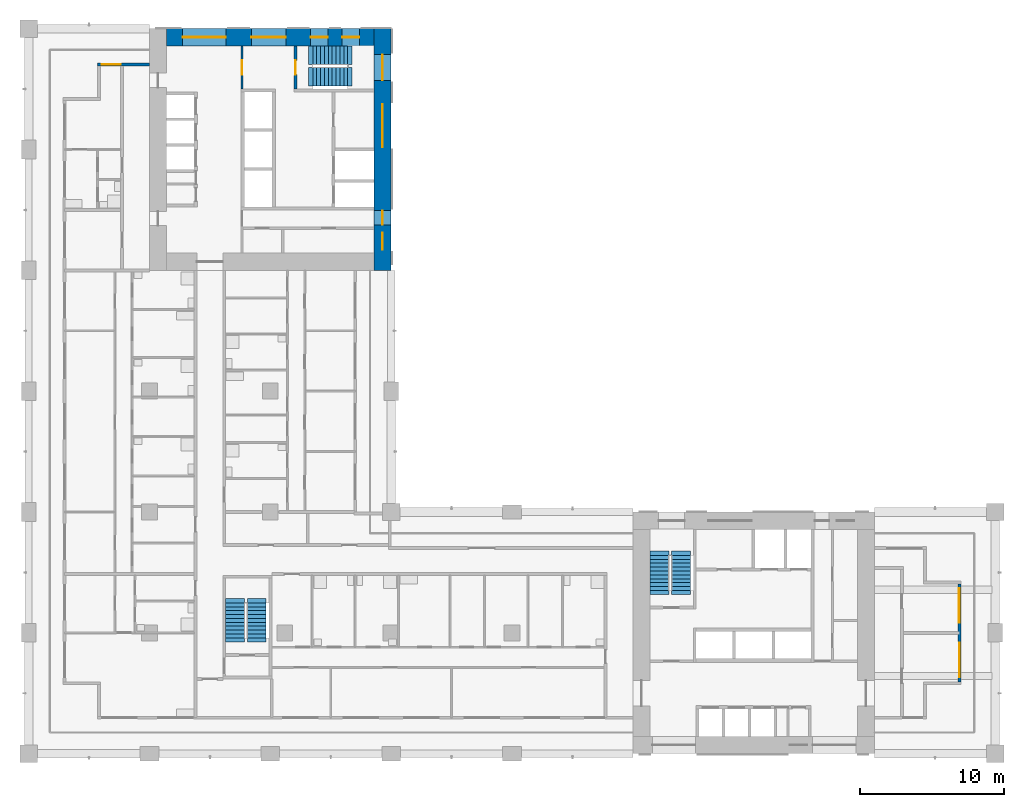
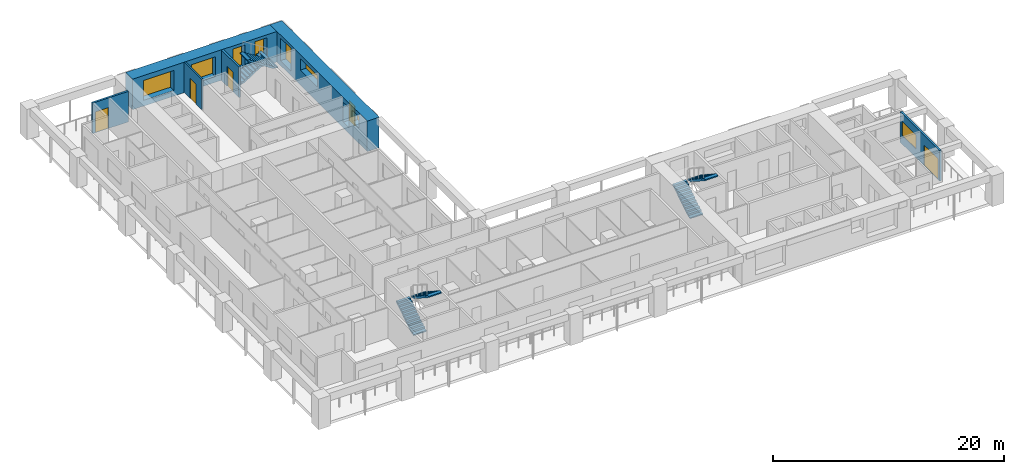
# One storey, part 8 of 16: 9 windows, 6 stair flights, 6 walls, 4 doors, 13 openings, 3 elements without a shape of their own.
"""IFC4 building model written with IfcOpenShell, lengths in metres."""

from ifc_helpers import new_model, si_unit, direction, frame, frame_2d, origin, place, context, subcontext, project, spatial, polyline, rectangle, outline, extrude, material, layer, layer_set, type_object, element, fill, aggregate, save


model = new_model("IFC4")

# Units and contexts
model_context = context("Model", 3, precision=1e-05, world=origin(), true_north=direction((0.0, 1.0)))
body_context = subcontext(model_context, "Body", "Model", "MODEL_VIEW")
ifc_project = project(units=[si_unit("LENGTHUNIT", "METRE"), si_unit("AREAUNIT", "SQUARE_METRE"), si_unit("VOLUMEUNIT", "CUBIC_METRE"), si_unit("PLANEANGLEUNIT", "RADIAN"), si_unit("MASSUNIT", "GRAM", prefix="KILO")], contexts=[model_context])

# Site, building, storey
site_placement = place(None, origin())
site = spatial("IfcSite", under=ifc_project, at=site_placement, CompositionType="ELEMENT")
building_placement = place(site_placement, origin())
building = spatial("IfcBuilding", under=site, at=building_placement, Name="Vermilion Gate Residences", CompositionType="ELEMENT")
storey_placement = place(building_placement, frame((0.0, 0.0, 130.199951171875)))
storey = spatial("IfcBuildingStorey", under=building, at=storey_placement, Name="L33", CompositionType="ELEMENT", Elevation=130.199951171875)

# Wall, opening, door
ifc_material_1 = material(Name="Masonry blockwork", Category="masonry")
ifc_layer_1 = layer(ifc_material_1, 0.14990234375)
ifc_layer_set_1 = layer_set([ifc_layer_1], Name="BLOCKWORK PARTITION 150 EI 120")
wall_type_1 = type_object("IfcWallType", Name="BLOCKWORK PARTITION 150 EI 120", PredefinedType="PARTITIONING", material=ifc_layer_set_1)
wall_1_placement = place(storey_placement, frame((14.824951171875, 57.60009765625, 0.0), z_axis=(0.0, 0.0, 1.0), x_axis=(0.0, -1.0, 0.0)))
wall_1 = element("IfcWall", 1, at=wall_1_placement, inside=storey, type_object=wall_type_1, Name="Core room partition B33-VW-S", PredefinedType="PARTITIONING", context=body_context, shape_type="SweptSolid", body=[
    extrude(rectangle(XDim=3.0, YDim=0.14990234375, at=frame_2d((1.5, 0.0))), origin(), (0.0, 0.0, 1.0), 3.219970703125),
])
opening_1_placement = place(wall_1_placement, frame((1.0, 0.0, 0.0)))
opening_1 = element("IfcOpeningElement", 2, at=opening_1_placement, cuts=wall_1, Name="Opening DK33112", PredefinedType="OPENING", context=body_context, shape_type="SweptSolid", body=[
    extrude(rectangle(XDim=1.0, YDim=2.10009765625, at=frame_2d((0.5, 1.050048828125))), frame((0.0, 0.0849609375, 0.0), z_axis=(0.0, -1.0, 0.0), x_axis=(1.0, 0.0, 0.0)), (0.0, 0.0, 1.0), 0.169921875),
])
ifc_material_2 = material(Name="Steel", Category="steel")
door_type_1 = type_object("IfcDoorType", Name="FIRE DOOR FD60 1000 X 2100", OperationType="SINGLE_SWING_LEFT", PredefinedType="DOOR", material=ifc_material_2)
door_1_placement = place(opening_1_placement, frame((1.0, 0.0, 0.0), z_axis=(0.0, 0.0, 1.0), x_axis=(-1.0, 0.0, 0.0)))
door_1 = element("IfcDoor", 3, at=door_1_placement, inside=storey, type_object=door_type_1, Name="Stair vestibule door B33", OperationType="SINGLE_SWING_RIGHT", OverallHeight=2.10009765625, OverallWidth=1.0, PredefinedType="DOOR", context=body_context, shape_type="SweptSolid", body=[
    extrude(rectangle(XDim=1.0, YDim=2.10009765625, at=frame_2d((0.5, 1.050048828125))), frame((0.0, 0.02490234375, 0.0), z_axis=(0.0, -1.0, 0.0), x_axis=(1.0, 0.0, 0.0)), (0.0, 0.0, 1.0), 0.050048828125),
])
fill(opening_1, door_1)

ifc_material_3 = material(Name="Insulated steel stud wall with terracotta rainscreen", Category="masonry")
ifc_layer_2 = layer(ifc_material_3, 0.199951171875)
ifc_layer_set_2 = layer_set([ifc_layer_2], Name="EXTERNAL WALL 200 TERRACOTTA RAINSCREEN")
wall_type_2 = type_object("IfcWallType", Name="EXTERNAL WALL 200 TERRACOTTA RAINSCREEN", PredefinedType="SOLIDWALL", material=ifc_layer_set_2)
wall_2_placement = place(storey_placement, frame((8.39990234375, 56.300048828125, 0.0), z_axis=(0.0, 0.0, 1.0), x_axis=(-1.0, 0.0, 0.0)))
wall_2 = element("IfcWall", 4, at=wall_2_placement, inside=storey, type_object=wall_type_2, Name="External wall", PredefinedType="SOLIDWALL", context=body_context, shape_type="SweptSolid", body=[
    extrude(rectangle(XDim=3.599853515625, YDim=0.199951171875, at=frame_2d((1.7998046875, 0.0))), origin(), (0.0, 0.0, 1.0), 3.219970703125),
])
opening_2_placement = place(wall_2_placement, frame((2.0, 0.0, 0.0)))
opening_2 = element("IfcOpeningElement", 5, at=opening_2_placement, cuts=wall_2, Name="Opening DE33001", PredefinedType="OPENING", context=body_context, shape_type="SweptSolid", body=[
    extrude(rectangle(XDim=1.300048828125, YDim=2.199951171875, at=frame_2d((0.64990234375, 1.10009765625))), frame((0.0, 0.10986328125, 0.0), z_axis=(0.0, -1.0, 0.0), x_axis=(1.0, 0.0, 0.0)), (0.0, 0.0, 1.0), 0.219970703125),
])
ifc_material_4 = material(Name="Aluminium and clear glass", Category="aluminium")
door_type_2 = type_object("IfcDoorType", Name="SLIDING GLAZED DOOR 1300 X 2200", OperationType="DOUBLE_DOOR_SLIDING", PredefinedType="DOOR", material=ifc_material_4)
door_2_placement = place(opening_2_placement, origin())
door_2 = element("IfcDoor", 6, at=door_2_placement, inside=storey, type_object=door_type_2, Name="Loggia sliding door", OperationType="DOUBLE_DOOR_SLIDING", OverallHeight=2.199951171875, OverallWidth=1.300048828125, PredefinedType="DOOR", context=body_context, shape_type="SweptSolid", body=[
    extrude(rectangle(XDim=1.300048828125, YDim=2.199951171875, at=frame_2d((0.64990234375, 1.10009765625))), frame((0.0, 0.02490234375, 0.0), z_axis=(0.0, -1.0, 0.0), x_axis=(1.0, 0.0, 0.0)), (0.0, 0.0, 1.0), 0.050048828125),
])
fill(opening_2, door_2)

# Wall, openings, door, window
wall_3_placement = place(storey_placement, frame((64.699951171875, 13.39990234375, 0.0), z_axis=(0.0, 0.0, 1.0), x_axis=(0.0, 1.0, 0.0)))
wall_3 = element("IfcWall", 7, at=wall_3_placement, inside=storey, type_object=wall_type_2, Name="External wall", PredefinedType="SOLIDWALL", context=body_context, shape_type="SweptSolid", body=[
    extrude(rectangle(XDim=6.800048828125, YDim=0.199951171875, at=frame_2d((3.39990234375, 0.0))), origin(), (0.0, 0.0, 1.0), 3.219970703125),
])
opening_3_placement = place(wall_3_placement, frame((4.10009765625, 0.0, 0.89990234375)))
opening_3 = element("IfcOpeningElement", 8, at=opening_3_placement, cuts=wall_3, Name="Opening WE33022", PredefinedType="OPENING", context=body_context, shape_type="SweptSolid", body=[
    extrude(rectangle(XDim=2.39990234375, YDim=1.5, at=frame_2d((1.199951171875, 0.75))), frame((0.0, 0.10986328125, 0.0), z_axis=(0.0, -1.0, 0.0), x_axis=(1.0, 0.0, 0.0)), (0.0, 0.0, 1.0), 0.219970703125),
])
opening_4_placement = place(wall_3_placement, frame((0.300048828125, 0.0, 0.0)))
opening_4 = element("IfcOpeningElement", 9, at=opening_4_placement, cuts=wall_3, Name="Opening DE33028", PredefinedType="OPENING", context=body_context, shape_type="SweptSolid", body=[
    extrude(rectangle(XDim=2.39990234375, YDim=2.199951171875, at=frame_2d((1.199951171875, 1.10009765625))), frame((0.0, 0.10986328125, 0.0), z_axis=(0.0, -1.0, 0.0), x_axis=(1.0, 0.0, 0.0)), (0.0, 0.0, 1.0), 0.219970703125),
])
ifc_material_5 = material(Name="Aluminium and clear glass", Category="aluminium")
door_type_3 = type_object("IfcDoorType", Name="SLIDING GLAZED DOOR 2400 X 2200", OperationType="DOUBLE_DOOR_SLIDING", PredefinedType="DOOR", material=ifc_material_5)
door_3_placement = place(opening_4_placement, origin())
door_3 = element("IfcDoor", 10, at=door_3_placement, inside=storey, type_object=door_type_3, Name="Loggia sliding door", OperationType="DOUBLE_DOOR_SLIDING", OverallHeight=2.199951171875, OverallWidth=2.39990234375, PredefinedType="DOOR", context=body_context, shape_type="SweptSolid", body=[
    extrude(rectangle(XDim=2.39990234375, YDim=2.199951171875, at=frame_2d((1.199951171875, 1.10009765625))), frame((0.0, 0.02490234375, 0.0), z_axis=(0.0, -1.0, 0.0), x_axis=(1.0, 0.0, 0.0)), (0.0, 0.0, 1.0), 0.050048828125),
])
fill(opening_4, door_3)
ifc_material_6 = material(Name="Aluminium and clear glass", Category="aluminium")
window_type_1 = type_object("IfcWindowType", Name="WINDOW 2400 X 1500", PartitioningType="SINGLE_PANEL", PredefinedType="WINDOW", material=ifc_material_6)
window_1_placement = place(opening_3_placement, origin())
window_1 = element("IfcWindow", 11, at=window_1_placement, inside=storey, type_object=window_type_1, Name="Window", OverallHeight=1.5, OverallWidth=2.39990234375, PartitioningType="SINGLE_PANEL", PredefinedType="WINDOW", context=body_context, shape_type="SweptSolid", body=[
    extrude(rectangle(XDim=2.39990234375, YDim=1.5, at=frame_2d((1.199951171875, 0.75))), frame((0.0, 0.030029296875, 0.0), z_axis=(0.0, -1.0, 0.0), x_axis=(1.0, 0.0, 0.0)), (0.0, 0.0, 1.0), 0.06005859375),
])
fill(opening_3, window_1)

# Wall, opening, door
ifc_material_7 = material(Name="Concrete C60", Category="concrete")
ifc_layer_3 = layer(ifc_material_7, 0.199951171875)
ifc_layer_set_3 = layer_set([ifc_layer_3], Name="RC CORE INTERNAL WALL 200 C60")
wall_type_3 = type_object("IfcWallType", Name="RC CORE INTERNAL WALL 200 C60", PredefinedType="SHEAR", material=ifc_layer_set_3)
wall_4_placement = place(storey_placement, frame((18.550048828125, 57.60009765625, 0.0), z_axis=(0.0, 0.0, 1.0), x_axis=(0.0, -1.0, 0.0)))
wall_4 = element("IfcWall", 12, at=wall_4_placement, inside=storey, type_object=wall_type_3, Name="Core internal wall B33-STW-S", PredefinedType="SHEAR", context=body_context, shape_type="SweptSolid", body=[
    extrude(rectangle(XDim=3.0, YDim=0.199951171875, at=frame_2d((1.5, 0.0))), origin(), (0.0, 0.0, 1.0), 3.219970703125),
])
opening_5_placement = place(wall_4_placement, frame((1.0, 0.0, 0.0)))
opening_5 = element("IfcOpeningElement", 13, at=opening_5_placement, cuts=wall_4, Name="Opening DK33113", PredefinedType="OPENING", context=body_context, shape_type="SweptSolid", body=[
    extrude(rectangle(XDim=1.0, YDim=2.10009765625, at=frame_2d((0.5, 1.050048828125))), frame((0.0, 0.10986328125, 0.0), z_axis=(0.0, -1.0, 0.0), x_axis=(1.0, 0.0, 0.0)), (0.0, 0.0, 1.0), 0.219970703125),
])
door_4_placement = place(opening_5_placement, origin())
door_4 = element("IfcDoor", 14, at=door_4_placement, inside=storey, type_object=door_type_1, Name="Stair door B33", OperationType="SINGLE_SWING_LEFT", OverallHeight=2.10009765625, OverallWidth=1.0, PredefinedType="DOOR", context=body_context, shape_type="SweptSolid", body=[
    extrude(rectangle(XDim=1.0, YDim=2.10009765625, at=frame_2d((0.5, 1.050048828125))), frame((0.0, 0.02490234375, 0.0), z_axis=(0.0, -1.0, 0.0), x_axis=(1.0, 0.0, 0.0)), (0.0, 0.0, 1.0), 0.050048828125),
])
fill(opening_5, door_4)

# Wall, openings, windows
ifc_material_8 = material(Name="Concrete C70 red-oxide pigmented", Category="concrete")
ifc_layer_4 = layer(ifc_material_8, 1.199951171875)
ifc_layer_set_4 = layer_set([ifc_layer_4], Name="RC CORE WALL 1200 C70 RED OXIDE")
wall_type_4 = type_object("IfcWallType", Name="RC CORE WALL 1200 C70 RED OXIDE", PredefinedType="SHEAR", material=ifc_layer_set_4)
wall_5_placement = place(storey_placement, frame((24.60009765625, 58.800048828125, 0.0), z_axis=(0.0, 0.0, 1.0), x_axis=(0.0, -1.0, 0.0)))
wall_5 = element("IfcWall", 15, at=wall_5_placement, inside=storey, type_object=wall_type_4, Name="Core wall B33-OUT-B1", PredefinedType="SHEAR", context=body_context, shape_type="SweptSolid", body=[
    extrude(rectangle(XDim=16.800048828125, YDim=1.199951171875, at=frame_2d((8.39990234375, 0.0))), origin(), (0.0, 0.0, 1.0), 3.219970703125),
])
opening_6_placement = place(wall_5_placement, frame((1.800048828125, 0.0, 0.5)))
opening_6 = element("IfcOpeningElement", 16, at=opening_6_placement, cuts=wall_5, Name="Opening WKB3301", PredefinedType="OPENING", context=body_context, shape_type="SweptSolid", body=[
    extrude(rectangle(XDim=1.800048828125, YDim=2.39990234375, at=frame_2d((0.89990234375, 1.199951171875))), frame((0.0, 0.60986328125, 0.0), z_axis=(0.0, -1.0, 0.0), x_axis=(1.0, 0.0, 0.0)), (0.0, 0.0, 1.0), 1.219970703125),
])
opening_7_placement = place(wall_5_placement, frame((5.25, 0.0, 1.60009765625)))
opening_7 = element("IfcOpeningElement", 17, at=opening_7_placement, cuts=wall_5, Name="Opening WKB3302", PredefinedType="OPENING", context=body_context, shape_type="SweptSolid", body=[
    extrude(rectangle(XDim=3.0, YDim=1.199951171875, at=frame_2d((1.5, 0.60009765625))), frame((0.0, 0.60986328125, 0.0), z_axis=(0.0, -1.0, 0.0), x_axis=(1.0, 0.0, 0.0)), (0.0, 0.0, 1.0), 1.219970703125),
])
opening_8_placement = place(wall_5_placement, frame((12.64990234375, 0.0, 0.60009765625)))
opening_8 = element("IfcOpeningElement", 18, at=opening_8_placement, cuts=wall_5, Name="Opening WKB3303", PredefinedType="OPENING", context=body_context, shape_type="SweptSolid", body=[
    extrude(rectangle(XDim=1.0, YDim=2.10009765625, at=frame_2d((0.5, 1.050048828125))), frame((0.0, 0.60986328125, 0.0), z_axis=(0.0, -1.0, 0.0), x_axis=(1.0, 0.0, 0.0)), (0.0, 0.0, 1.0), 1.219970703125),
])
opening_9_placement = place(wall_5_placement, frame((14.175048828125, 0.0, 1.60009765625)))
opening_9 = element("IfcOpeningElement", 19, at=opening_9_placement, cuts=wall_5, Name="Opening WKB3304", PredefinedType="OPENING", context=body_context, shape_type="SweptSolid", body=[
    extrude(rectangle(XDim=1.199951171875, YDim=1.199951171875, at=frame_2d((0.60009765625, 0.60009765625))), frame((0.0, 0.60986328125, 0.0), z_axis=(0.0, -1.0, 0.0), x_axis=(1.0, 0.0, 0.0)), (0.0, 0.0, 1.0), 1.219970703125),
])
ifc_material_9 = material(Name="Aluminium and clear glass", Category="aluminium")
window_type_2 = type_object("IfcWindowType", Name="CORE CORRIDOR WINDOW 1000 X 2100", PartitioningType="SINGLE_PANEL", PredefinedType="WINDOW", material=ifc_material_9)
window_2_placement = place(opening_8_placement, origin())
window_2 = element("IfcWindow", 20, at=window_2_placement, inside=storey, type_object=window_type_2, Name="Core corridor window", OverallHeight=2.10009765625, OverallWidth=1.0, PartitioningType="SINGLE_PANEL", PredefinedType="WINDOW", context=body_context, shape_type="SweptSolid", body=[
    extrude(rectangle(XDim=1.0, YDim=2.10009765625, at=frame_2d((0.5, 1.050048828125))), frame((0.0, 0.030029296875, 0.0), z_axis=(0.0, -1.0, 0.0), x_axis=(1.0, 0.0, 0.0)), (0.0, 0.0, 1.0), 0.06005859375),
])
fill(opening_8, window_2)
ifc_material_10 = material(Name="Aluminium frame with louvre blades", Category="aluminium")
window_type_3 = type_object("IfcWindowType", Name="CORE LOUVRE 1200 X 1200", PartitioningType="SINGLE_PANEL", PredefinedType="WINDOW", material=ifc_material_10)
window_3_placement = place(opening_9_placement, origin())
window_3 = element("IfcWindow", 21, at=window_3_placement, inside=storey, type_object=window_type_3, Name="Core louvre", OverallHeight=1.199951171875, OverallWidth=1.199951171875, PartitioningType="SINGLE_PANEL", PredefinedType="WINDOW", context=body_context, shape_type="SweptSolid", body=[
    extrude(rectangle(XDim=1.199951171875, YDim=1.199951171875, at=frame_2d((0.60009765625, 0.60009765625))), frame((0.0, 0.030029296875, 0.0), z_axis=(0.0, -1.0, 0.0), x_axis=(1.0, 0.0, 0.0)), (0.0, 0.0, 1.0), 0.06005859375),
])
fill(opening_9, window_3)
ifc_material_11 = material(Name="Aluminium frame with louvre blades", Category="aluminium")
window_type_4 = type_object("IfcWindowType", Name="CORE LOUVRE 3000 X 1200", PartitioningType="SINGLE_PANEL", PredefinedType="WINDOW", material=ifc_material_11)
window_4_placement = place(opening_7_placement, origin())
window_4 = element("IfcWindow", 22, at=window_4_placement, inside=storey, type_object=window_type_4, Name="Core louvre", OverallHeight=1.199951171875, OverallWidth=3.0, PartitioningType="SINGLE_PANEL", PredefinedType="WINDOW", context=body_context, shape_type="SweptSolid", body=[
    extrude(rectangle(XDim=3.0, YDim=1.199951171875, at=frame_2d((1.5, 0.60009765625))), frame((0.0, 0.030029296875, 0.0), z_axis=(0.0, -1.0, 0.0), x_axis=(1.0, 0.0, 0.0)), (0.0, 0.0, 1.0), 0.06005859375),
])
fill(opening_7, window_4)
ifc_material_12 = material(Name="Aluminium and clear glass", Category="aluminium")
window_type_5 = type_object("IfcWindowType", Name="CORE STAIR WINDOW 1800 X 2400", PartitioningType="SINGLE_PANEL", PredefinedType="WINDOW", material=ifc_material_12)
window_5_placement = place(opening_6_placement, origin())
window_5 = element("IfcWindow", 23, at=window_5_placement, inside=storey, type_object=window_type_5, Name="Core stair window", OverallHeight=2.39990234375, OverallWidth=1.800048828125, PartitioningType="SINGLE_PANEL", PredefinedType="WINDOW", context=body_context, shape_type="SweptSolid", body=[
    extrude(rectangle(XDim=1.800048828125, YDim=2.39990234375, at=frame_2d((0.89990234375, 1.199951171875))), frame((0.0, 0.030029296875, 0.0), z_axis=(0.0, -1.0, 0.0), x_axis=(1.0, 0.0, 0.0)), (0.0, 0.0, 1.0), 0.06005859375),
])
fill(opening_6, window_5)

wall_6_placement = place(storey_placement, frame((9.60009765625, 58.199951171875, 0.0), z_axis=(0.0, 0.0, 1.0), x_axis=(1.0, 0.0, 0.0)))
wall_6 = element("IfcWall", 24, at=wall_6_placement, inside=storey, type_object=wall_type_4, Name="Core wall B33-OUT-FR", PredefinedType="SHEAR", context=body_context, shape_type="SweptSolid", body=[
    extrude(rectangle(XDim=14.39990234375, YDim=1.199951171875, at=frame_2d((7.199951171875, 0.0))), origin(), (0.0, 0.0, 1.0), 3.219970703125),
])
opening_10_placement = place(wall_6_placement, frame((1.10498046875, 0.0, 0.60009765625)))
opening_10 = element("IfcOpeningElement", 25, at=opening_10_placement, cuts=wall_6, Name="Opening WKB3305", PredefinedType="OPENING", context=body_context, shape_type="SweptSolid", body=[
    extrude(rectangle(XDim=3.0, YDim=2.10009765625, at=frame_2d((1.5, 1.050048828125))), frame((0.0, 0.60986328125, 0.0), z_axis=(0.0, -1.0, 0.0), x_axis=(1.0, 0.0, 0.0)), (0.0, 0.0, 1.0), 1.219970703125),
])
opening_11_placement = place(wall_6_placement, frame((5.875, 0.0, 0.60009765625)))
opening_11 = element("IfcOpeningElement", 26, at=opening_11_placement, cuts=wall_6, Name="Opening WKB3306", PredefinedType="OPENING", context=body_context, shape_type="SweptSolid", body=[
    extrude(rectangle(XDim=2.39990234375, YDim=2.10009765625, at=frame_2d((1.199951171875, 1.050048828125))), frame((0.0, 0.60986328125, 0.0), z_axis=(0.0, -1.0, 0.0), x_axis=(1.0, 0.0, 0.0)), (0.0, 0.0, 1.0), 1.219970703125),
])
opening_12_placement = place(wall_6_placement, frame((9.993408203125, 0.0, 0.5)))
opening_12 = element("IfcOpeningElement", 27, at=opening_12_placement, cuts=wall_6, Name="Opening WKB3307", PredefinedType="OPENING", context=body_context, shape_type="SweptSolid", body=[
    extrude(rectangle(XDim=1.199951171875, YDim=2.39990234375, at=frame_2d((0.60009765625, 1.199951171875))), frame((0.0, 0.60986328125, 0.0), z_axis=(0.0, -1.0, 0.0), x_axis=(1.0, 0.0, 0.0)), (0.0, 0.0, 1.0), 1.219970703125),
])
opening_13_placement = place(wall_6_placement, frame((12.19677734375, 0.0, 0.5)))
opening_13 = element("IfcOpeningElement", 28, at=opening_13_placement, cuts=wall_6, Name="Opening WKB3308", PredefinedType="OPENING", context=body_context, shape_type="SweptSolid", body=[
    extrude(rectangle(XDim=1.199951171875, YDim=2.39990234375, at=frame_2d((0.60009765625, 1.199951171875))), frame((0.0, 0.60986328125, 0.0), z_axis=(0.0, -1.0, 0.0), x_axis=(1.0, 0.0, 0.0)), (0.0, 0.0, 1.0), 1.219970703125),
])
ifc_material_13 = material(Name="Aluminium and clear glass", Category="aluminium")
window_type_6 = type_object("IfcWindowType", Name="CORE LOBBY WINDOW 2400 X 2100", PartitioningType="SINGLE_PANEL", PredefinedType="WINDOW", material=ifc_material_13)
window_6_placement = place(opening_11_placement, origin())
window_6 = element("IfcWindow", 29, at=window_6_placement, inside=storey, type_object=window_type_6, Name="Core lobby window", OverallHeight=2.10009765625, OverallWidth=2.39990234375, PartitioningType="SINGLE_PANEL", PredefinedType="WINDOW", context=body_context, shape_type="SweptSolid", body=[
    extrude(rectangle(XDim=2.39990234375, YDim=2.10009765625, at=frame_2d((1.199951171875, 1.050048828125))), frame((0.0, 0.030029296875, 0.0), z_axis=(0.0, -1.0, 0.0), x_axis=(1.0, 0.0, 0.0)), (0.0, 0.0, 1.0), 0.06005859375),
])
fill(opening_11, window_6)
ifc_material_14 = material(Name="Aluminium and clear glass", Category="aluminium")
window_type_7 = type_object("IfcWindowType", Name="CORE LOBBY WINDOW 3000 X 2100", PartitioningType="SINGLE_PANEL", PredefinedType="WINDOW", material=ifc_material_14)
window_7_placement = place(opening_10_placement, origin())
window_7 = element("IfcWindow", 30, at=window_7_placement, inside=storey, type_object=window_type_7, Name="Core lobby window", OverallHeight=2.10009765625, OverallWidth=3.0, PartitioningType="SINGLE_PANEL", PredefinedType="WINDOW", context=body_context, shape_type="SweptSolid", body=[
    extrude(rectangle(XDim=3.0, YDim=2.10009765625, at=frame_2d((1.5, 1.050048828125))), frame((0.0, 0.030029296875, 0.0), z_axis=(0.0, -1.0, 0.0), x_axis=(1.0, 0.0, 0.0)), (0.0, 0.0, 1.0), 0.06005859375),
])
fill(opening_10, window_7)
ifc_material_15 = material(Name="Aluminium and clear glass", Category="aluminium")
window_type_8 = type_object("IfcWindowType", Name="CORE STAIR WINDOW 1200 X 2400", PartitioningType="SINGLE_PANEL", PredefinedType="WINDOW", material=ifc_material_15)
window_8_placement = place(opening_12_placement, origin())
window_8 = element("IfcWindow", 31, at=window_8_placement, inside=storey, type_object=window_type_8, Name="Core stair window", OverallHeight=2.39990234375, OverallWidth=1.199951171875, PartitioningType="SINGLE_PANEL", PredefinedType="WINDOW", context=body_context, shape_type="SweptSolid", body=[
    extrude(rectangle(XDim=1.199951171875, YDim=2.39990234375, at=frame_2d((0.60009765625, 1.199951171875))), frame((0.0, 0.030029296875, 0.0), z_axis=(0.0, -1.0, 0.0), x_axis=(1.0, 0.0, 0.0)), (0.0, 0.0, 1.0), 0.06005859375),
])
fill(opening_12, window_8)
window_9_placement = place(opening_13_placement, origin())
window_9 = element("IfcWindow", 32, at=window_9_placement, inside=storey, type_object=window_type_8, Name="Core stair window", OverallHeight=2.39990234375, OverallWidth=1.199951171875, PartitioningType="SINGLE_PANEL", PredefinedType="WINDOW", context=body_context, shape_type="SweptSolid", body=[
    extrude(rectangle(XDim=1.199951171875, YDim=2.39990234375, at=frame_2d((0.60009765625, 1.199951171875))), frame((0.0, 0.030029296875, 0.0), z_axis=(0.0, -1.0, 0.0), x_axis=(1.0, 0.0, 0.0)), (0.0, 0.0, 1.0), 0.06005859375),
])
fill(opening_13, window_9)

# Stair, stair flights
ifc_material_16 = material(Name="Concrete C50", Category="concrete")
stair_type = type_object("IfcStairType", Name="SPECIAL ESCAPE STAIR 1300", PredefinedType="HALF_TURN_STAIR", material=ifc_material_16)
stair_1_placement = place(storey_placement, origin())
stair_1 = element("IfcStair", 33, at=stair_1_placement, inside=storey, type_object=stair_type, Name="Special escape stair STA1-33", PredefinedType="HALF_TURN_STAIR")
ifc_material_17 = material(Name="Concrete C50", Category="concrete")
stair_flight_type = type_object("IfcStairFlightType", Name="STAIR FLIGHT 1300 RC C50", PredefinedType="STRAIGHT", material=ifc_material_17)
stair_flight_1_placement = place(storey_placement, frame((43.85009765625, 19.75, 0.0), z_axis=(0.0, 0.0, 1.0), x_axis=(0.0, 1.0, 0.0)))
stair_flight_1 = element("IfcStairFlight", 34, at=stair_flight_1_placement, type_object=stair_flight_type, Name="STA1-33 flight 1", NumberOfRisers=10, NumberOfTreads=9, PredefinedType="STRAIGHT", RiserHeight=0.175, TreadLength=0.27, context=body_context, shape_type="SweptSolid", body=[
    extrude(outline(polyline([(-0.300048828125, -0.14990234375), (-0.300048828125, -0.030029296875), (0.0, 0.0), (0.0, 0.175048828125), (0.27001953125, 0.175048828125), (0.27001953125, 0.35009765625), (0.5400390625, 0.35009765625), (0.5400390625, 0.52490234375), (0.81005859375, 0.52490234375), (0.81005859375, 0.699951171875), (1.080078125, 0.699951171875), (1.080078125, 0.875), (1.35009765625, 0.875), (1.35009765625, 1.050048828125), (1.6201171875, 1.050048828125), (1.6201171875, 1.22509765625), (1.889892578125, 1.22509765625), (1.889892578125, 1.39990234375), (2.159912109375, 1.39990234375), (2.159912109375, 1.574951171875), (2.429931640625, 1.574951171875), (2.429931640625, 1.75), (2.72998046875, 1.719970703125), (2.72998046875, 1.60009765625), (2.429931640625, 1.396484375), (0.275634765625, 0.0), (-0.300048828125, -0.14990234375)])), frame((0.0, 0.64990234375, 0.0), z_axis=(0.0, -1.0, 0.0), x_axis=(1.0, 0.0, 0.0)), (0.0, 0.0, 1.0), 1.300048828125),
])
stair_flight_2_placement = place(storey_placement, frame((45.35009765625, 22.179931640625, 1.75), z_axis=(0.0, 0.0, 1.0), x_axis=(0.0, -1.0, 0.0)))
stair_flight_2 = element("IfcStairFlight", 35, at=stair_flight_2_placement, type_object=stair_flight_type, Name="STA1-33 flight 2", NumberOfRisers=10, NumberOfTreads=9, PredefinedType="STRAIGHT", RiserHeight=0.175, TreadLength=0.27, context=body_context, shape_type="SweptSolid", body=[
    extrude(outline(polyline([(-0.300048828125, -0.14990234375), (-0.300048828125, -0.030029296875), (0.0, 0.0), (0.0, 0.175048828125), (0.27001953125, 0.175048828125), (0.27001953125, 0.35009765625), (0.5400390625, 0.35009765625), (0.5400390625, 0.52490234375), (0.81005859375, 0.52490234375), (0.81005859375, 0.699951171875), (1.080078125, 0.699951171875), (1.080078125, 0.875), (1.35009765625, 0.875), (1.35009765625, 1.050048828125), (1.6201171875, 1.050048828125), (1.6201171875, 1.22509765625), (1.889892578125, 1.22509765625), (1.889892578125, 1.39990234375), (2.159912109375, 1.39990234375), (2.159912109375, 1.574951171875), (2.429931640625, 1.574951171875), (2.429931640625, 1.75), (2.72998046875, 1.719970703125), (2.72998046875, 1.60009765625), (2.429931640625, 1.396484375), (0.275634765625, 0.0), (-0.300048828125, -0.14990234375)])), frame((0.0, 0.64990234375, 0.0), z_axis=(0.0, -1.0, 0.0), x_axis=(1.0, 0.0, 0.0)), (0.0, 0.0, 1.0), 1.300048828125),
])
aggregate(stair_1, [stair_flight_1, stair_flight_2])

stair_2_placement = place(storey_placement, origin())
stair_2 = element("IfcStair", 36, at=stair_2_placement, inside=storey, type_object=stair_type, Name="Special escape stair STB1-33", PredefinedType="HALF_TURN_STAIR")
stair_flight_3_placement = place(storey_placement, frame((19.75, 56.949951171875, 0.0), z_axis=(0.0, 0.0, 1.0), x_axis=(1.0, 0.0, 0.0)))
stair_flight_3 = element("IfcStairFlight", 37, at=stair_flight_3_placement, type_object=stair_flight_type, Name="STB1-33 flight 1", NumberOfRisers=10, NumberOfTreads=9, PredefinedType="STRAIGHT", RiserHeight=0.175, TreadLength=0.27, context=body_context, shape_type="SweptSolid", body=[
    extrude(outline(polyline([(-0.300048828125, -0.14990234375), (-0.300048828125, -0.030029296875), (0.0, 0.0), (0.0, 0.175048828125), (0.27001953125, 0.175048828125), (0.27001953125, 0.35009765625), (0.5400390625, 0.35009765625), (0.5400390625, 0.52490234375), (0.81005859375, 0.52490234375), (0.81005859375, 0.699951171875), (1.080078125, 0.699951171875), (1.080078125, 0.875), (1.35009765625, 0.875), (1.35009765625, 1.050048828125), (1.6201171875, 1.050048828125), (1.6201171875, 1.22509765625), (1.889892578125, 1.22509765625), (1.889892578125, 1.39990234375), (2.159912109375, 1.39990234375), (2.159912109375, 1.574951171875), (2.429931640625, 1.574951171875), (2.429931640625, 1.75), (2.72998046875, 1.719970703125), (2.72998046875, 1.60009765625), (2.429931640625, 1.396484375), (0.275634765625, 0.0), (-0.300048828125, -0.14990234375)])), frame((0.0, 0.64990234375, 0.0), z_axis=(0.0, -1.0, 0.0), x_axis=(1.0, 0.0, 0.0)), (0.0, 0.0, 1.0), 1.300048828125),
])
stair_flight_4_placement = place(storey_placement, frame((22.179931640625, 55.449951171875, 1.75), z_axis=(0.0, 0.0, 1.0), x_axis=(-1.0, 0.0, 0.0)))
stair_flight_4 = element("IfcStairFlight", 38, at=stair_flight_4_placement, type_object=stair_flight_type, Name="STB1-33 flight 2", NumberOfRisers=10, NumberOfTreads=9, PredefinedType="STRAIGHT", RiserHeight=0.175, TreadLength=0.27, context=body_context, shape_type="SweptSolid", body=[
    extrude(outline(polyline([(-0.300048828125, -0.14990234375), (-0.300048828125, -0.030029296875), (0.0, 0.0), (0.0, 0.175048828125), (0.27001953125, 0.175048828125), (0.27001953125, 0.35009765625), (0.5400390625, 0.35009765625), (0.5400390625, 0.52490234375), (0.81005859375, 0.52490234375), (0.81005859375, 0.699951171875), (1.080078125, 0.699951171875), (1.080078125, 0.875), (1.35009765625, 0.875), (1.35009765625, 1.050048828125), (1.6201171875, 1.050048828125), (1.6201171875, 1.22509765625), (1.889892578125, 1.22509765625), (1.889892578125, 1.39990234375), (2.159912109375, 1.39990234375), (2.159912109375, 1.574951171875), (2.429931640625, 1.574951171875), (2.429931640625, 1.75), (2.72998046875, 1.719970703125), (2.72998046875, 1.60009765625), (2.429931640625, 1.396484375), (0.275634765625, 0.0), (-0.300048828125, -0.14990234375)])), frame((0.0, 0.64990234375, 0.0), z_axis=(0.0, -1.0, 0.0), x_axis=(1.0, 0.0, 0.0)), (0.0, 0.0, 1.0), 1.300048828125),
])
aggregate(stair_2, [stair_flight_3, stair_flight_4])

stair_3_placement = place(storey_placement, origin())
stair_3 = element("IfcStair", 39, at=stair_3_placement, inside=storey, type_object=stair_type, Name="Special escape stair STC1-33", PredefinedType="HALF_TURN_STAIR")
stair_flight_5_placement = place(storey_placement, frame((14.35009765625, 16.449951171875, 0.0), z_axis=(0.0, 0.0, 1.0), x_axis=(0.0, 1.0, 0.0)))
stair_flight_5 = element("IfcStairFlight", 40, at=stair_flight_5_placement, type_object=stair_flight_type, Name="STC1-33 flight 1", NumberOfRisers=10, NumberOfTreads=9, PredefinedType="STRAIGHT", RiserHeight=0.175, TreadLength=0.27, context=body_context, shape_type="SweptSolid", body=[
    extrude(outline(polyline([(-0.300048828125, -0.14990234375), (-0.300048828125, -0.030029296875), (0.0, 0.0), (0.0, 0.175048828125), (0.27001953125, 0.175048828125), (0.27001953125, 0.35009765625), (0.5400390625, 0.35009765625), (0.5400390625, 0.52490234375), (0.81005859375, 0.52490234375), (0.81005859375, 0.699951171875), (1.080078125, 0.699951171875), (1.080078125, 0.875), (1.35009765625, 0.875), (1.35009765625, 1.050048828125), (1.6201171875, 1.050048828125), (1.6201171875, 1.22509765625), (1.889892578125, 1.22509765625), (1.889892578125, 1.39990234375), (2.159912109375, 1.39990234375), (2.159912109375, 1.574951171875), (2.429931640625, 1.574951171875), (2.429931640625, 1.75), (2.72998046875, 1.719970703125), (2.72998046875, 1.60009765625), (2.429931640625, 1.396484375), (0.275634765625, 0.0), (-0.300048828125, -0.14990234375)])), frame((0.0, 0.64990234375, 0.0), z_axis=(0.0, -1.0, 0.0), x_axis=(1.0, 0.0, 0.0)), (0.0, 0.0, 1.0), 1.300048828125),
])
stair_flight_6_placement = place(storey_placement, frame((15.85009765625, 18.8798828125, 1.75), z_axis=(0.0, 0.0, 1.0), x_axis=(0.0, -1.0, 0.0)))
stair_flight_6 = element("IfcStairFlight", 41, at=stair_flight_6_placement, type_object=stair_flight_type, Name="STC1-33 flight 2", NumberOfRisers=10, NumberOfTreads=9, PredefinedType="STRAIGHT", RiserHeight=0.175, TreadLength=0.27, context=body_context, shape_type="SweptSolid", body=[
    extrude(outline(polyline([(-0.300048828125, -0.14990234375), (-0.300048828125, -0.030029296875), (0.0, 0.0), (0.0, 0.175048828125), (0.27001953125, 0.175048828125), (0.27001953125, 0.35009765625), (0.5400390625, 0.35009765625), (0.5400390625, 0.52490234375), (0.81005859375, 0.52490234375), (0.81005859375, 0.699951171875), (1.080078125, 0.699951171875), (1.080078125, 0.875), (1.35009765625, 0.875), (1.35009765625, 1.050048828125), (1.6201171875, 1.050048828125), (1.6201171875, 1.22509765625), (1.889892578125, 1.22509765625), (1.889892578125, 1.39990234375), (2.159912109375, 1.39990234375), (2.159912109375, 1.574951171875), (2.429931640625, 1.574951171875), (2.429931640625, 1.75), (2.72998046875, 1.719970703125), (2.72998046875, 1.60009765625), (2.429931640625, 1.396484375), (0.275634765625, 0.0), (-0.300048828125, -0.14990234375)])), frame((0.0, 0.64990234375, 0.0), z_axis=(0.0, -1.0, 0.0), x_axis=(1.0, 0.0, 0.0)), (0.0, 0.0, 1.0), 1.300048828125),
])
aggregate(stair_3, [stair_flight_5, stair_flight_6])

save(model, "model.ifc")
